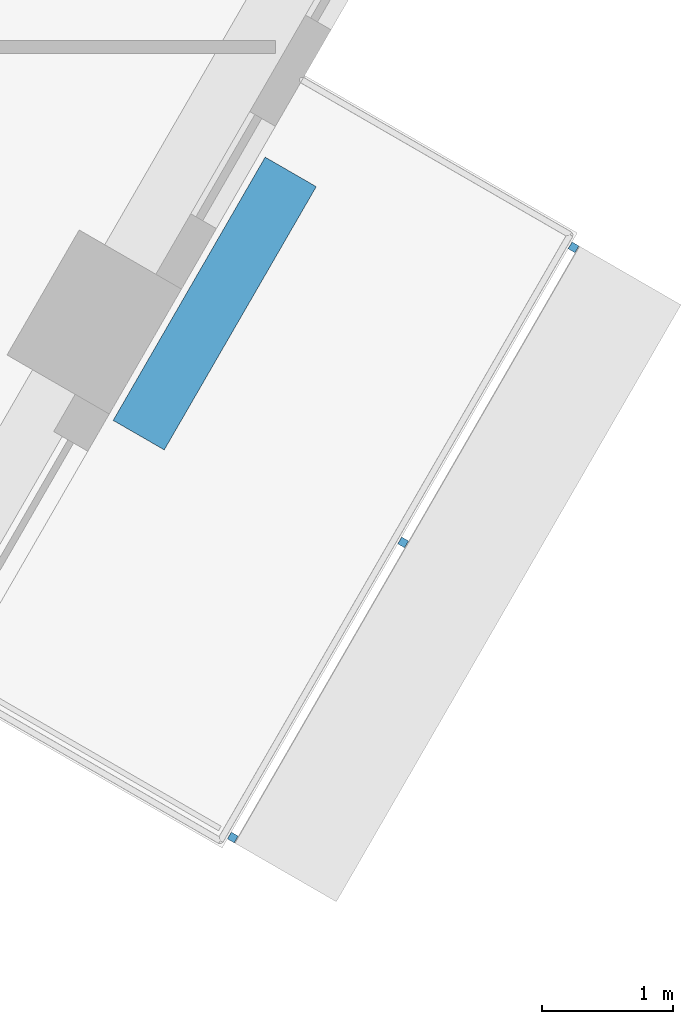
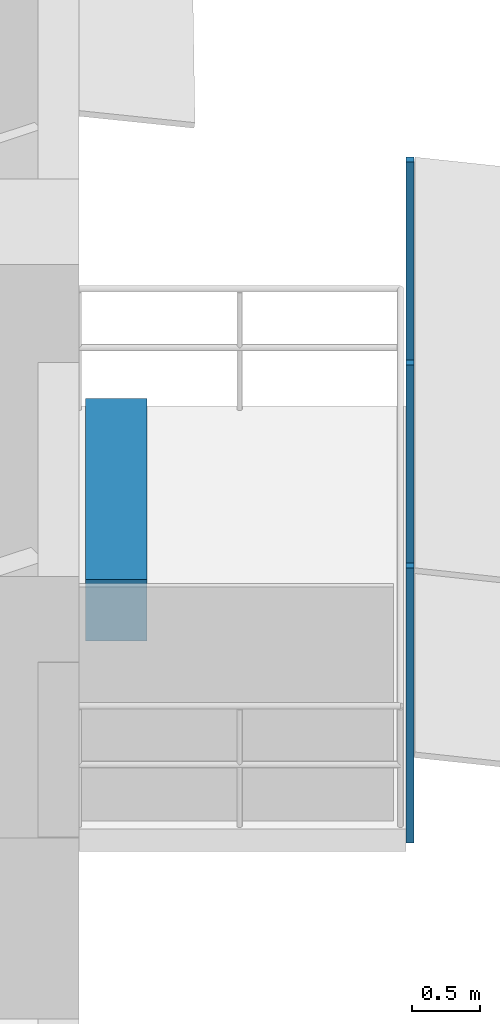
# One storey, part 9 of 12: 4 discrete accessories.
"""IFC4 building model written with IfcOpenShell, lengths in metres."""

import ifcopenshell
import ifcopenshell.guid

model = None  # the IFC model being written
_history = None  # IfcOwnerHistory: only IFC2X3 demands one
_inside = {}  # id of a spatial element -> (the spatial element, [elements in it])
_under = {}  # id of a project, library or spatial element -> (it, [spatial elements below it])
_declared = {}  # id of a project -> (the project, [libraries it declares])
_typed = {}  # id of a type object -> (the type object, [elements of that type])
_made_of = {}  # id of a material, layer set ... -> (it, [elements and type objects made of it])


def new_model(schema):
    """Start an empty IFC model of exactly this schema.

    Asked for "IFC4X3", IfcOpenShell would pick the latest addendum, in which some entities
    have other attributes; the version numbers below select the first issue.
    IFC2X3 requires an IfcOwnerHistory on every rooted entity: one is made here for all.
    """
    global model, _history
    if schema == "IFC4X3":
        model = ifcopenshell.file(schema_version=(4, 3, 0, 0))
    else:
        model = ifcopenshell.file(schema=schema)
    _inside.clear()
    _under.clear()
    _declared.clear()
    _typed.clear()
    _made_of.clear()
    _history = None
    if model.schema == "IFC2X3":
        org = make("IfcOrganization", Name="unknown")
        user = make(
            "IfcPersonAndOrganization",
            ThePerson=make("IfcPerson", FamilyName="unknown"),
            TheOrganization=org,
        )
        app = make(
            "IfcApplication",
            ApplicationDeveloper=org,
            Version="unknown",
            ApplicationFullName="unknown",
            ApplicationIdentifier="unknown",
        )
        _history = make(
            "IfcOwnerHistory",
            OwningUser=user,
            OwningApplication=app,
            ChangeAction="ADDED",
            CreationDate=0,
        )
    return model


def make(cls, **values):
    """One entity of the class cls with the attributes given. An attribute that is None is left unset."""
    return model.create_entity(
        cls, **{name: value for name, value in values.items() if value is not None}
    )


def rooted(cls, **values):
    """An entity with a GlobalId (a new one), such as an element, a storey or a relation."""
    return make(cls, GlobalId=ifcopenshell.guid.new(), OwnerHistory=_history, **values)


def si_unit(unit_type, name, prefix=None):
    """IfcSIUnit, for example si_unit("LENGTHUNIT", "METRE", prefix="MILLI")."""
    return make("IfcSIUnit", UnitType=unit_type, Prefix=prefix, Name=name)


def assignment(units):
    """IfcUnitAssignment: the units of a project."""
    return None if units is None else make("IfcUnitAssignment", Units=units)


def point(xyz):
    """IfcCartesianPoint."""
    return None if xyz is None else make("IfcCartesianPoint", Coordinates=xyz)


def direction(xyz):
    """IfcDirection."""
    return None if xyz is None else make("IfcDirection", DirectionRatios=xyz)


def frame(location, z_axis=None, x_axis=None):
    """IfcAxis2Placement3D, a coordinate frame: its origin and axes. An axis left out is left unset."""
    return make(
        "IfcAxis2Placement3D",
        Location=point(location),
        Axis=direction(z_axis),
        RefDirection=direction(x_axis),
    )


def frame_2d(location, x_axis=None):
    """IfcAxis2Placement2D, a coordinate frame in the plane: its origin and x axis."""
    return make(
        "IfcAxis2Placement2D", Location=point(location), RefDirection=direction(x_axis)
    )


def origin():
    """The frame at (0, 0, 0) with its axes left unset."""
    return frame((0.0, 0.0, 0.0))


def origin_2d():
    """The frame at (0, 0) in the plane with its x axis left unset."""
    return frame_2d((0.0, 0.0))


def place(relative_to, where):
    """IfcLocalPlacement: puts the frame where relative to a parent placement (None: the world)."""
    return make(
        "IfcLocalPlacement", PlacementRelTo=relative_to, RelativePlacement=where
    )


def context(
    kind, dimensions, precision=None, world=None, true_north=None, identifier=None
):
    """IfcGeometricRepresentationContext, for example the 3D "Model" context."""
    return make(
        "IfcGeometricRepresentationContext",
        ContextIdentifier=identifier,
        ContextType=kind,
        CoordinateSpaceDimension=dimensions,
        Precision=precision,
        WorldCoordinateSystem=world,
        TrueNorth=true_north,
    )


def subcontext(parent, identifier, kind, view, scale=None):
    """IfcGeometricRepresentationSubContext, for example "Body" below "Model"."""
    return make(
        "IfcGeometricRepresentationSubContext",
        ContextIdentifier=identifier,
        ContextType=kind,
        ParentContext=parent,
        TargetScale=scale,
        TargetView=view,
    )


def project(units=None, contexts=None):
    """IfcProject with its units and contexts."""
    return rooted(
        "IfcProject",
        Name="project",
        RepresentationContexts=contexts,
        UnitsInContext=assignment(units),
    )


def spatial(cls, under=None, at=None, **own):
    """A site, building, storey or space (cls), placed at a placement, below another one or the project."""
    s = rooted(cls, ObjectPlacement=at, **own)
    if under is not None:
        _under.setdefault(under.id(), (under, []))[1].append(s)
    return s


def profile(cls, at=None, kind="AREA", **sizes):
    """A parametric profile (cls). Its sizes go by their IFC names, for example OverallWidth=200.0."""
    return make(cls, ProfileType=kind, Position=at, **sizes)


def rectangle(**sizes):
    """IfcRectangleProfileDef."""
    return profile("IfcRectangleProfileDef", **sizes)


def extrude(swept, where, along, depth):
    """IfcExtrudedAreaSolid: the profile swept, set in the frame where, extruded along a direction by depth."""
    return make(
        "IfcExtrudedAreaSolid",
        SweptArea=swept,
        Position=where,
        ExtrudedDirection=direction(along),
        Depth=depth,
    )


def shape(context_of_items, identifier, shape_type, items):
    """IfcShapeRepresentation: the items that make up one representation, for example the "Body"."""
    return make(
        "IfcShapeRepresentation",
        ContextOfItems=context_of_items,
        RepresentationIdentifier=identifier,
        RepresentationType=shape_type,
        Items=items,
    )


def material(Name=None, Category=None):
    """IfcMaterial."""
    return make("IfcMaterial", Name=Name, Category=Category)


def made_of(thing, what):
    """Note that an element or type object is made of a material, layer set ...; save() writes the relation."""
    if what is not None:
        _made_of.setdefault(what.id(), (what, []))[1].append(thing)
    return thing


def type_object(cls, material=None, **own):
    """A type object (cls), such as IfcWallType, which elements share."""
    return made_of(rooted(cls, **own), material)


def element(
    cls,
    number,
    at=None,
    inside=None,
    cuts=None,
    type_object=None,
    material=None,
    context=None,
    identifier="Body",
    shape_type=None,
    held_by="IfcProductDefinitionShape",
    body=None,
    shapes=None,
    **own,
):
    """One element of the class cls, such as IfcWall. Its Tag is "e" and its number.

    at: its placement. inside: the storey or other place that contains it. cuts: it is an
    opening in that element (IfcRelVoidsElement). A single representation is given by context,
    identifier, shape_type and body (its items); several are given by shapes. held_by: the class
    of the entity that holds the representations. save() writes the other relations.
    """
    e = rooted(cls, Tag="e%d" % number, ObjectPlacement=at, **own)
    if body is not None:
        shapes = [shape(context, identifier, shape_type, body)]
    if shapes is not None:
        e.Representation = make(held_by, Representations=shapes)
    if inside is not None:
        _inside.setdefault(inside.id(), (inside, []))[1].append(e)
    if cuts is not None:
        rooted(
            "IfcRelVoidsElement", RelatingBuildingElement=cuts, RelatedOpeningElement=e
        )
    if type_object is not None:
        _typed.setdefault(type_object.id(), (type_object, []))[1].append(e)
    return made_of(e, material)


def aggregate(whole, parts):
    """IfcRelAggregates: a whole, such as a stair, and the parts it consists of."""
    return rooted("IfcRelAggregates", RelatingObject=whole, RelatedObjects=parts)


def save(model, path):
    """Write the relations noted so far, then the file.

    IfcRelAggregates (storeys below a building ...), IfcRelContainedInSpatialStructure (elements
    in a storey), IfcRelDefinesByType, IfcRelAssociatesMaterial and IfcRelDeclares: one each for
    every whole, place, type object, material and project.
    """
    for whole, parts in _under.values():
        aggregate(whole, parts)
    for where, things in _inside.values():
        rooted(
            "IfcRelContainedInSpatialStructure",
            RelatedElements=things,
            RelatingStructure=where,
        )
    for kind, things in _typed.values():
        rooted("IfcRelDefinesByType", RelatedObjects=things, RelatingType=kind)
    for what, things in _made_of.values():
        rooted("IfcRelAssociatesMaterial", RelatedObjects=things, RelatingMaterial=what)
    for by, libraries in _declared.values():
        rooted("IfcRelDeclares", RelatingContext=by, RelatedDefinitions=libraries)
    model.write(path)


model = new_model("IFC4")

# Units and contexts
model_context = context("Model", 3, precision=1e-05, world=origin(), true_north=direction((0.0, 1.0)))
body_context = subcontext(model_context, "Body", "Model", "MODEL_VIEW")
ifc_project = project(units=[si_unit("LENGTHUNIT", "METRE"), si_unit("AREAUNIT", "SQUARE_METRE"), si_unit("VOLUMEUNIT", "CUBIC_METRE"), si_unit("PLANEANGLEUNIT", "RADIAN"), si_unit("MASSUNIT", "GRAM", prefix="KILO")], contexts=[model_context])

# Site, building, storey
site_placement = place(None, origin())
site = spatial("IfcSite", under=ifc_project, at=site_placement, CompositionType="ELEMENT")
building_placement = place(site_placement, origin())
building = spatial("IfcBuilding", under=site, at=building_placement, Name="Nakaniwa Court", CompositionType="ELEMENT")
storey_placement = place(building_placement, frame((0.0, 0.0, 229.5)))
storey = spatial("IfcBuildingStorey", under=building, at=storey_placement, Name="L59", CompositionType="ELEMENT", Elevation=229.5)

# Discrete accessories
ifc_material_1 = material(Name="Black powder-coated steel bracket S275", Category="steel")
discrete_accessory_type_1 = type_object("IfcDiscreteAccessoryType", Name="Black metal louvre bracket", PredefinedType="BRACKET", material=ifc_material_1)
for number, where, z_axis, x_axis, name in (
    (1, (100.19580078125, 64.8203125, -0.22998046875), (0.0, 0.0, 1.0), (0.500016626402, 0.866015804314, 0.0), "L59 louvre bracket 01 1"),
    (2, (101.49462890625, 67.06982421875, -0.22998046875), (0.0, 0.0, 1.0), (0.500016626402, 0.866015804314, 0.0), "L59 louvre bracket 01 2"),
    (3, (102.79345703125, 69.3193359375, -0.22998046875), (0.0, 0.0, 1.0), (0.500016626402, 0.866015804314, 0.0), "L59 louvre bracket 01 3"),
):
    element("IfcDiscreteAccessory", number, at=place(storey_placement, frame(where, z_axis=z_axis, x_axis=x_axis)), inside=storey, type_object=discrete_accessory_type_1, Name=name, PredefinedType="BRACKET", context=body_context, shape_type="SweptSolid", body=[
        extrude(rectangle(XDim=0.06005859375, YDim=0.06005859375, at=origin_2d()), origin(), (0.0, 0.0, 1.0), 2.46337890625),
    ])
ifc_material_2 = material(Name="Precast concrete C40/50 planter with planted soil", Category="concrete")
discrete_accessory_type_2 = type_object("IfcDiscreteAccessoryType", Name="Planter box charcoal concrete", PredefinedType="USERDEFINED", material=ifc_material_2)
discrete_accessory_placement = place(storey_placement, frame((100.057861328125, 68.89111328125, -0.0498046875), z_axis=(0.0, 0.0, 1.0), x_axis=(0.500016626402, 0.866015804314, 0.0)))
element("IfcDiscreteAccessory", 4, at=discrete_accessory_placement, inside=storey, type_object=discrete_accessory_type_2, Name="L59 balcony PLANTER 01", ObjectType="PLANTER", PredefinedType="USERDEFINED", context=body_context, shape_type="SweptSolid", body=[
    extrude(rectangle(XDim=2.317626953125, YDim=0.449951171875, at=origin_2d()), origin(), (0.0, 0.0, 1.0), 0.550048828125),
])

save(model, "model.ifc")
